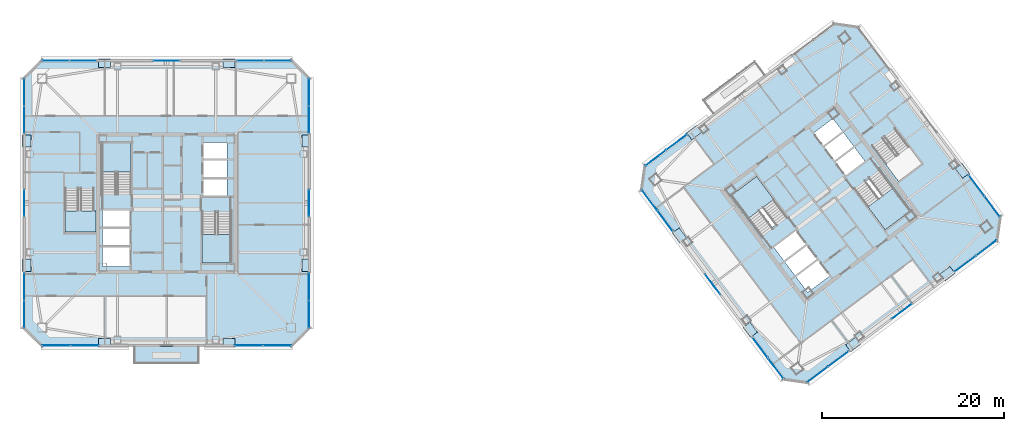
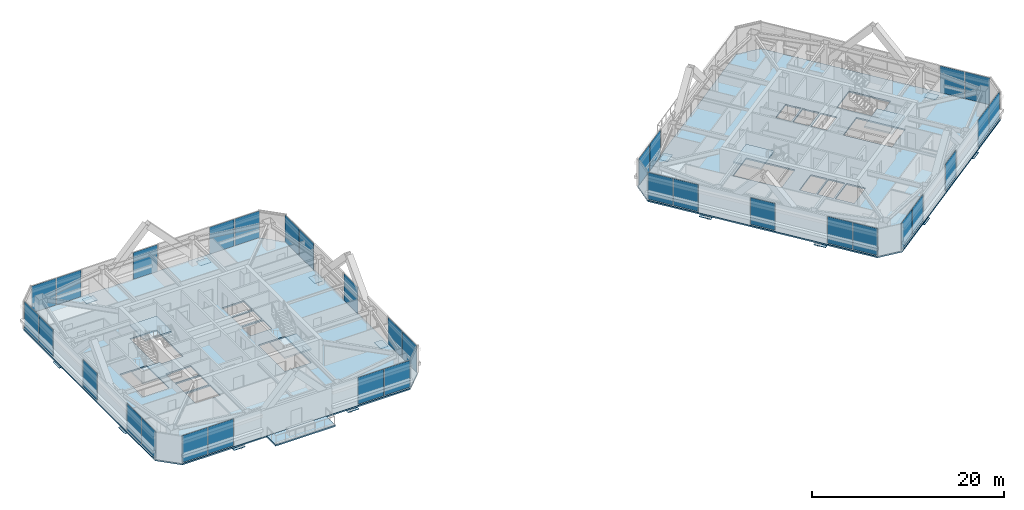
# One storey, part 28 of 39: 47 plates, 8 slabs, 24 elements without a shape of their own.
"""IFC4 building model written with IfcOpenShell, lengths in metres."""

from ifc_helpers import new_model, si_unit, direction, frame, origin, origin_2d, place, context, subcontext, project, spatial, polyline, rectangle, outline, extrude, material, layer, layer_set, type_object, element, aggregate, save


model = new_model("IFC4")

# Units and contexts
model_context = context("Model", 3, precision=1e-05, world=origin(), true_north=direction((0.0, 1.0)))
body_context = subcontext(model_context, "Body", "Model", "MODEL_VIEW")
ifc_project = project(units=[si_unit("LENGTHUNIT", "METRE"), si_unit("AREAUNIT", "SQUARE_METRE"), si_unit("VOLUMEUNIT", "CUBIC_METRE"), si_unit("PLANEANGLEUNIT", "RADIAN"), si_unit("MASSUNIT", "GRAM", prefix="KILO")], contexts=[model_context])

# Site, building, storey
site_placement = place(None, origin())
site = spatial("IfcSite", under=ifc_project, at=site_placement, CompositionType="ELEMENT")
building_placement = place(site_placement, origin())
building = spatial("IfcBuilding", under=site, at=building_placement, Name="Tashvorn Skyway Center", CompositionType="ELEMENT")
storey_placement = place(building_placement, frame((0.0, 0.0, 239.699951171875)))
storey = spatial("IfcBuildingStorey", under=building, at=storey_placement, Name="L65", CompositionType="ELEMENT", Elevation=239.699951171875)

# Curtain wall, plates
ifc_material_1 = material(Name="Thermally broken bronze-anodized aluminium 6063-T6", Category="aluminium")
curtain_wall_type = type_object("IfcCurtainWallType", Name="CW-CW-Z5", PredefinedType="NOTDEFINED", material=ifc_material_1)
curtain_wall_1_placement = place(storey_placement, origin())
curtain_wall_1 = element("IfcCurtainWall", 1, at=curtain_wall_1_placement, inside=storey, type_object=curtain_wall_type, Name="Tower 1 L65 South Curtain Wall L Glazing Group 1", PredefinedType="NOTDEFINED")
ifc_material_2 = material(Name="Low-E solar-control double insulating safety glass", Category="glass")
ifc_layer_1 = layer(ifc_material_2, 0.031982421875)
ifc_layer_set_1 = layer_set([ifc_layer_1], Name="Low-E solar-control double insulating safety glass")
plate_type_1 = type_object("IfcPlateType", Name="CWP-CW-Z5", PredefinedType="CURTAIN_PANEL", material=ifc_layer_set_1)
plate_1_placement = place(storey_placement, frame((54.174072265625, 16.320068359375, 0.0703125), z_axis=(0.0, 0.0, 1.0), x_axis=(-1.0, 0.0, 0.0)))
plate_1 = element("IfcPlate", 2, at=plate_1_placement, type_object=plate_type_1, Name="CW-Z5 panel 1.1", PredefinedType="CURTAIN_PANEL", context=body_context, shape_type="SweptSolid", body=[
    extrude(rectangle(XDim=3.071533203125, YDim=0.031982421875, at=origin_2d()), origin(), (0.0, 0.0, 1.0), 3.409912109375),
])
plate_2_placement = place(storey_placement, frame((51.032470703125, 16.320068359375, 0.0703125), z_axis=(0.0, 0.0, 1.0), x_axis=(-1.0, 0.0, 0.0)))
plate_2 = element("IfcPlate", 3, at=plate_2_placement, type_object=plate_type_1, Name="CW-Z5 panel 2.1", PredefinedType="CURTAIN_PANEL", context=body_context, shape_type="SweptSolid", body=[
    extrude(rectangle(XDim=3.071533203125, YDim=0.031982421875, at=origin_2d()), origin(), (0.0, 0.0, 1.0), 3.409912109375),
])
aggregate(curtain_wall_1, [plate_1, plate_2])

curtain_wall_2_placement = place(storey_placement, origin())
curtain_wall_2 = element("IfcCurtainWall", 4, at=curtain_wall_2_placement, inside=storey, type_object=curtain_wall_type, Name="Tower 1 L65 South Curtain Wall R Glazing Group 1", PredefinedType="NOTDEFINED")
plate_3_placement = place(storey_placement, frame((32.967529296875, 16.320068359375, 0.0703125), z_axis=(0.0, 0.0, 1.0), x_axis=(-1.0, 0.0, 0.0)))
plate_3 = element("IfcPlate", 5, at=plate_3_placement, type_object=plate_type_1, Name="CW-Z5 panel 1.1", PredefinedType="CURTAIN_PANEL", context=body_context, shape_type="SweptSolid", body=[
    extrude(rectangle(XDim=3.071533203125, YDim=0.031982421875, at=origin_2d()), origin(), (0.0, 0.0, 1.0), 3.409912109375),
])
plate_4_placement = place(storey_placement, frame((29.825927734375, 16.320068359375, 0.0703125), z_axis=(0.0, 0.0, 1.0), x_axis=(-1.0, 0.0, 0.0)))
plate_4 = element("IfcPlate", 6, at=plate_4_placement, type_object=plate_type_1, Name="CW-Z5 panel 2.1", PredefinedType="CURTAIN_PANEL", context=body_context, shape_type="SweptSolid", body=[
    extrude(rectangle(XDim=3.071533203125, YDim=0.031982421875, at=origin_2d()), origin(), (0.0, 0.0, 1.0), 3.409912109375),
])
aggregate(curtain_wall_2, [plate_3, plate_4])

curtain_wall_3_placement = place(storey_placement, origin())
curtain_wall_3 = element("IfcCurtainWall", 7, at=curtain_wall_3_placement, inside=storey, type_object=curtain_wall_type, Name="Tower 1 L65 West Unitised Curtain Wall Glazing Group 1", PredefinedType="NOTDEFINED")
plate_5_placement = place(storey_placement, frame((26.320068359375, 19.7685546875, 0.0703125), z_axis=(0.0, 0.0, 1.0), x_axis=(0.0, 1.0, 0.0)))
plate_5 = element("IfcPlate", 8, at=plate_5_placement, type_object=plate_type_1, Name="CW-Z5 panel 1.1", PredefinedType="CURTAIN_PANEL", context=body_context, shape_type="SweptSolid", body=[
    extrude(rectangle(XDim=2.957275390625, YDim=0.031982421875, at=origin_2d()), origin(), (0.0, 0.0, 1.0), 3.409912109375),
])
plate_6_placement = place(storey_placement, frame((26.320068359375, 22.7958984375, 0.0703125), z_axis=(0.0, 0.0, 1.0), x_axis=(0.0, 1.0, 0.0)))
plate_6 = element("IfcPlate", 9, at=plate_6_placement, type_object=plate_type_1, Name="CW-Z5 panel 2.1", PredefinedType="CURTAIN_PANEL", context=body_context, shape_type="SweptSolid", body=[
    extrude(rectangle(XDim=2.957275390625, YDim=0.031982421875, at=origin_2d()), origin(), (0.0, 0.0, 1.0), 3.409912109375),
])
aggregate(curtain_wall_3, [plate_5, plate_6])

# Curtain wall, plate
curtain_wall_4_placement = place(storey_placement, origin())
curtain_wall_4 = element("IfcCurtainWall", 10, at=curtain_wall_4_placement, inside=storey, type_object=curtain_wall_type, Name="Tower 1 L65 West Unitised Curtain Wall Glazing Group 2", PredefinedType="NOTDEFINED")
plate_7_placement = place(storey_placement, frame((26.320068359375, 32.0, 0.0703125), z_axis=(0.0, 0.0, 1.0), x_axis=(0.0, 1.0, 0.0)))
plate_7 = element("IfcPlate", 11, at=plate_7_placement, type_object=plate_type_1, Name="CW-Z5 panel 1.1", PredefinedType="CURTAIN_PANEL", context=body_context, shape_type="SweptSolid", body=[
    extrude(rectangle(XDim=2.922119140625, YDim=0.031982421875, at=origin_2d()), origin(), (0.0, 0.0, 1.0), 3.409912109375),
])
aggregate(curtain_wall_4, [plate_7])

# Curtain wall, plates
curtain_wall_5_placement = place(storey_placement, origin())
curtain_wall_5 = element("IfcCurtainWall", 12, at=curtain_wall_5_placement, inside=storey, type_object=curtain_wall_type, Name="Tower 1 L65 West Unitised Curtain Wall Glazing Group 3", PredefinedType="NOTDEFINED")
plate_8_placement = place(storey_placement, frame((26.320068359375, 41.2041015625, 0.0703125), z_axis=(0.0, 0.0, 1.0), x_axis=(0.0, 1.0, 0.0)))
plate_8 = element("IfcPlate", 13, at=plate_8_placement, type_object=plate_type_1, Name="CW-Z5 panel 1.1", PredefinedType="CURTAIN_PANEL", context=body_context, shape_type="SweptSolid", body=[
    extrude(rectangle(XDim=2.957275390625, YDim=0.031982421875, at=origin_2d()), origin(), (0.0, 0.0, 1.0), 3.409912109375),
])
plate_9_placement = place(storey_placement, frame((26.320068359375, 44.2314453125, 0.0703125), z_axis=(0.0, 0.0, 1.0), x_axis=(0.0, 1.0, 0.0)))
plate_9 = element("IfcPlate", 14, at=plate_9_placement, type_object=plate_type_1, Name="CW-Z5 panel 2.1", PredefinedType="CURTAIN_PANEL", context=body_context, shape_type="SweptSolid", body=[
    extrude(rectangle(XDim=2.957275390625, YDim=0.031982421875, at=origin_2d()), origin(), (0.0, 0.0, 1.0), 3.409912109375),
])
aggregate(curtain_wall_5, [plate_8, plate_9])

curtain_wall_6_placement = place(storey_placement, origin())
curtain_wall_6 = element("IfcCurtainWall", 15, at=curtain_wall_6_placement, inside=storey, type_object=curtain_wall_type, Name="Tower 1 L65 North Unitised Curtain Wall Glazing Group 1", PredefinedType="NOTDEFINED")
plate_10_placement = place(storey_placement, frame((29.7685546875, 47.679931640625, 0.0703125), z_axis=(0.0, 0.0, 1.0), x_axis=(1.0, 0.0, 0.0)))
plate_10 = element("IfcPlate", 16, at=plate_10_placement, type_object=plate_type_1, Name="CW-Z5 panel 1.1", PredefinedType="CURTAIN_PANEL", context=body_context, shape_type="SweptSolid", body=[
    extrude(rectangle(XDim=2.957275390625, YDim=0.031982421875, at=origin_2d()), origin(), (0.0, 0.0, 1.0), 3.409912109375),
])
plate_11_placement = place(storey_placement, frame((32.7958984375, 47.679931640625, 0.0703125), z_axis=(0.0, 0.0, 1.0), x_axis=(1.0, 0.0, 0.0)))
plate_11 = element("IfcPlate", 17, at=plate_11_placement, type_object=plate_type_1, Name="CW-Z5 panel 2.1", PredefinedType="CURTAIN_PANEL", context=body_context, shape_type="SweptSolid", body=[
    extrude(rectangle(XDim=2.957275390625, YDim=0.031982421875, at=origin_2d()), origin(), (0.0, 0.0, 1.0), 3.409912109375),
])
aggregate(curtain_wall_6, [plate_10, plate_11])

# Curtain wall, plate
curtain_wall_7_placement = place(storey_placement, origin())
curtain_wall_7 = element("IfcCurtainWall", 18, at=curtain_wall_7_placement, inside=storey, type_object=curtain_wall_type, Name="Tower 1 L65 North Unitised Curtain Wall Glazing Group 2", PredefinedType="NOTDEFINED")
plate_12_placement = place(storey_placement, frame((42.0, 47.679931640625, 0.0703125), z_axis=(0.0, 0.0, 1.0), x_axis=(1.0, 0.0, 0.0)))
plate_12 = element("IfcPlate", 19, at=plate_12_placement, type_object=plate_type_1, Name="CW-Z5 panel 1.1", PredefinedType="CURTAIN_PANEL", context=body_context, shape_type="SweptSolid", body=[
    extrude(rectangle(XDim=2.922119140625, YDim=0.031982421875, at=origin_2d()), origin(), (0.0, 0.0, 1.0), 3.409912109375),
])
aggregate(curtain_wall_7, [plate_12])

# Curtain wall, plates
curtain_wall_8_placement = place(storey_placement, origin())
curtain_wall_8 = element("IfcCurtainWall", 20, at=curtain_wall_8_placement, inside=storey, type_object=curtain_wall_type, Name="Tower 1 L65 North Unitised Curtain Wall Glazing Group 3", PredefinedType="NOTDEFINED")
plate_13_placement = place(storey_placement, frame((51.2041015625, 47.679931640625, 0.0703125), z_axis=(0.0, 0.0, 1.0), x_axis=(1.0, 0.0, 0.0)))
plate_13 = element("IfcPlate", 21, at=plate_13_placement, type_object=plate_type_1, Name="CW-Z5 panel 1.1", PredefinedType="CURTAIN_PANEL", context=body_context, shape_type="SweptSolid", body=[
    extrude(rectangle(XDim=2.957275390625, YDim=0.031982421875, at=origin_2d()), origin(), (0.0, 0.0, 1.0), 3.409912109375),
])
plate_14_placement = place(storey_placement, frame((54.2314453125, 47.679931640625, 0.0703125), z_axis=(0.0, 0.0, 1.0), x_axis=(1.0, 0.0, 0.0)))
plate_14 = element("IfcPlate", 22, at=plate_14_placement, type_object=plate_type_1, Name="CW-Z5 panel 2.1", PredefinedType="CURTAIN_PANEL", context=body_context, shape_type="SweptSolid", body=[
    extrude(rectangle(XDim=2.957275390625, YDim=0.031982421875, at=origin_2d()), origin(), (0.0, 0.0, 1.0), 3.409912109375),
])
aggregate(curtain_wall_8, [plate_13, plate_14])

curtain_wall_9_placement = place(storey_placement, origin())
curtain_wall_9 = element("IfcCurtainWall", 23, at=curtain_wall_9_placement, inside=storey, type_object=curtain_wall_type, Name="Tower 1 L65 East Unitised Curtain Wall Glazing Group 1", PredefinedType="NOTDEFINED")
plate_15_placement = place(storey_placement, frame((57.679931640625, 44.2314453125, 0.0703125), z_axis=(0.0, 0.0, 1.0), x_axis=(0.0, -1.0, 0.0)))
plate_15 = element("IfcPlate", 24, at=plate_15_placement, type_object=plate_type_1, Name="CW-Z5 panel 1.1", PredefinedType="CURTAIN_PANEL", context=body_context, shape_type="SweptSolid", body=[
    extrude(rectangle(XDim=2.957275390625, YDim=0.031982421875, at=origin_2d()), origin(), (0.0, 0.0, 1.0), 3.409912109375),
])
plate_16_placement = place(storey_placement, frame((57.679931640625, 41.2041015625, 0.0703125), z_axis=(0.0, 0.0, 1.0), x_axis=(0.0, -1.0, 0.0)))
plate_16 = element("IfcPlate", 25, at=plate_16_placement, type_object=plate_type_1, Name="CW-Z5 panel 2.1", PredefinedType="CURTAIN_PANEL", context=body_context, shape_type="SweptSolid", body=[
    extrude(rectangle(XDim=2.957275390625, YDim=0.031982421875, at=origin_2d()), origin(), (0.0, 0.0, 1.0), 3.409912109375),
])
aggregate(curtain_wall_9, [plate_15, plate_16])

# Curtain wall, plate
curtain_wall_10_placement = place(storey_placement, origin())
curtain_wall_10 = element("IfcCurtainWall", 26, at=curtain_wall_10_placement, inside=storey, type_object=curtain_wall_type, Name="Tower 1 L65 East Unitised Curtain Wall Glazing Group 2", PredefinedType="NOTDEFINED")
plate_17_placement = place(storey_placement, frame((57.679931640625, 32.0, 0.0703125), z_axis=(0.0, 0.0, 1.0), x_axis=(0.0, -1.0, 0.0)))
plate_17 = element("IfcPlate", 27, at=plate_17_placement, type_object=plate_type_1, Name="CW-Z5 panel 1.1", PredefinedType="CURTAIN_PANEL", context=body_context, shape_type="SweptSolid", body=[
    extrude(rectangle(XDim=2.922119140625, YDim=0.031982421875, at=origin_2d()), origin(), (0.0, 0.0, 1.0), 3.409912109375),
])
aggregate(curtain_wall_10, [plate_17])

# Curtain wall, plates
curtain_wall_11_placement = place(storey_placement, origin())
curtain_wall_11 = element("IfcCurtainWall", 28, at=curtain_wall_11_placement, inside=storey, type_object=curtain_wall_type, Name="Tower 1 L65 East Unitised Curtain Wall Glazing Group 3", PredefinedType="NOTDEFINED")
plate_18_placement = place(storey_placement, frame((57.679931640625, 22.7958984375, 0.0703125), z_axis=(0.0, 0.0, 1.0), x_axis=(0.0, -1.0, 0.0)))
plate_18 = element("IfcPlate", 29, at=plate_18_placement, type_object=plate_type_1, Name="CW-Z5 panel 1.1", PredefinedType="CURTAIN_PANEL", context=body_context, shape_type="SweptSolid", body=[
    extrude(rectangle(XDim=2.957275390625, YDim=0.031982421875, at=origin_2d()), origin(), (0.0, 0.0, 1.0), 3.409912109375),
])
plate_19_placement = place(storey_placement, frame((57.679931640625, 19.7685546875, 0.0703125), z_axis=(0.0, 0.0, 1.0), x_axis=(0.0, -1.0, 0.0)))
plate_19 = element("IfcPlate", 30, at=plate_19_placement, type_object=plate_type_1, Name="CW-Z5 panel 2.1", PredefinedType="CURTAIN_PANEL", context=body_context, shape_type="SweptSolid", body=[
    extrude(rectangle(XDim=2.957275390625, YDim=0.031982421875, at=origin_2d()), origin(), (0.0, 0.0, 1.0), 3.409912109375),
])
aggregate(curtain_wall_11, [plate_18, plate_19])

curtain_wall_12_placement = place(storey_placement, origin())
curtain_wall_12 = element("IfcCurtainWall", 31, at=curtain_wall_12_placement, inside=storey, type_object=curtain_wall_type, Name="Tower 2 L65 South Unitised Curtain Wall Glazing Group 1", PredefinedType="NOTDEFINED")
plate_20_placement = place(storey_placement, frame((132.21533203125, 27.0615234375, 0.0703125), z_axis=(0.0, 0.0, 1.0), x_axis=(-0.800002064209, -0.599997247712, 0.0)))
plate_20 = element("IfcPlate", 32, at=plate_20_placement, type_object=plate_type_1, Name="CW-Z5 panel 1.1", PredefinedType="CURTAIN_PANEL", context=body_context, shape_type="SweptSolid", body=[
    extrude(rectangle(XDim=2.8017578125, YDim=0.031982421875, at=origin_2d()), origin(), (0.0, 0.0, 1.0), 3.409912109375),
])
plate_21_placement = place(storey_placement, frame((129.91796875, 25.33837890625, 0.0703125), z_axis=(0.0, 0.0, 1.0), x_axis=(-0.800002064209, -0.599997247712, 0.0)))
plate_21 = element("IfcPlate", 33, at=plate_21_placement, type_object=plate_type_1, Name="CW-Z5 panel 2.1", PredefinedType="CURTAIN_PANEL", context=body_context, shape_type="SweptSolid", body=[
    extrude(rectangle(XDim=2.8017578125, YDim=0.031982421875, at=origin_2d()), origin(), (0.0, 0.0, 1.0), 3.409912109375),
])
aggregate(curtain_wall_12, [plate_20, plate_21])

# Curtain wall, plate
curtain_wall_13_placement = place(storey_placement, origin())
curtain_wall_13 = element("IfcCurtainWall", 34, at=curtain_wall_13_placement, inside=storey, type_object=curtain_wall_type, Name="Tower 2 L65 South Unitised Curtain Wall Glazing Group 2", PredefinedType="NOTDEFINED")
plate_22_placement = place(storey_placement, frame((122.927978515625, 20.095947265625, 0.0703125), z_axis=(0.0, 0.0, 1.0), x_axis=(-0.800008256656, -0.599988990967, 0.0)))
plate_22 = element("IfcPlate", 35, at=plate_22_placement, type_object=plate_type_1, Name="CW-Z5 panel 1.1", PredefinedType="CURTAIN_PANEL", context=body_context, shape_type="SweptSolid", body=[
    extrude(rectangle(XDim=2.7666015625, YDim=0.031982421875, at=origin_2d()), origin(), (0.0, 0.0, 1.0), 3.409912109375),
])
aggregate(curtain_wall_13, [plate_22])

# Curtain wall, plates
curtain_wall_14_placement = place(storey_placement, origin())
curtain_wall_14 = element("IfcCurtainWall", 36, at=curtain_wall_14_placement, inside=storey, type_object=curtain_wall_type, Name="Tower 2 L65 South Unitised Curtain Wall Glazing Group 3", PredefinedType="NOTDEFINED")
plate_23_placement = place(storey_placement, frame((115.93798828125, 14.853515625, 0.0703125), z_axis=(0.0, 0.0, 1.0), x_axis=(-0.800002064209, -0.599997247712, 0.0)))
plate_23 = element("IfcPlate", 37, at=plate_23_placement, type_object=plate_type_1, Name="CW-Z5 panel 1.1", PredefinedType="CURTAIN_PANEL", context=body_context, shape_type="SweptSolid", body=[
    extrude(rectangle(XDim=2.8017578125, YDim=0.031982421875, at=origin_2d()), origin(), (0.0, 0.0, 1.0), 3.409912109375),
])
plate_24_placement = place(storey_placement, frame((113.640625, 13.130615234375, 0.0703125), z_axis=(0.0, 0.0, 1.0), x_axis=(-0.800002064209, -0.599997247712, 0.0)))
plate_24 = element("IfcPlate", 38, at=plate_24_placement, type_object=plate_type_1, Name="CW-Z5 panel 2.1", PredefinedType="CURTAIN_PANEL", context=body_context, shape_type="SweptSolid", body=[
    extrude(rectangle(XDim=2.8017578125, YDim=0.031982421875, at=origin_2d()), origin(), (0.0, 0.0, 1.0), 3.409912109375),
])
aggregate(curtain_wall_14, [plate_23, plate_24])

curtain_wall_15_placement = place(storey_placement, origin())
curtain_wall_15 = element("IfcCurtainWall", 39, at=curtain_wall_15_placement, inside=storey, type_object=curtain_wall_type, Name="Tower 2 L65 West Unitised Curtain Wall Glazing Group 1", PredefinedType="NOTDEFINED")
plate_25_placement = place(storey_placement, frame((109.0615234375, 13.78466796875, 0.0703125), z_axis=(0.0, 0.0, 1.0), x_axis=(-0.599997247712, 0.800002064209, 0.0)))
plate_25 = element("IfcPlate", 40, at=plate_25_placement, type_object=plate_type_1, Name="CW-Z5 panel 1.1", PredefinedType="CURTAIN_PANEL", context=body_context, shape_type="SweptSolid", body=[
    extrude(rectangle(XDim=2.8017578125, YDim=0.031982421875, at=origin_2d()), origin(), (0.0, 0.0, 1.0), 3.409912109375),
])
plate_26_placement = place(storey_placement, frame((107.33837890625, 16.08203125, 0.0703125), z_axis=(0.0, 0.0, 1.0), x_axis=(-0.599997247712, 0.800002064209, 0.0)))
plate_26 = element("IfcPlate", 41, at=plate_26_placement, type_object=plate_type_1, Name="CW-Z5 panel 2.1", PredefinedType="CURTAIN_PANEL", context=body_context, shape_type="SweptSolid", body=[
    extrude(rectangle(XDim=2.8017578125, YDim=0.031982421875, at=origin_2d()), origin(), (0.0, 0.0, 1.0), 3.409912109375),
])
aggregate(curtain_wall_15, [plate_25, plate_26])

# Curtain wall, plate
curtain_wall_16_placement = place(storey_placement, origin())
curtain_wall_16 = element("IfcCurtainWall", 42, at=curtain_wall_16_placement, inside=storey, type_object=curtain_wall_type, Name="Tower 2 L65 West Unitised Curtain Wall Glazing Group 2", PredefinedType="NOTDEFINED")
plate_27_placement = place(storey_placement, frame((102.095947265625, 23.072021484375, 0.0703125), z_axis=(0.0, 0.0, 1.0), x_axis=(-0.599988990967, 0.800008256656, 0.0)))
plate_27 = element("IfcPlate", 43, at=plate_27_placement, type_object=plate_type_1, Name="CW-Z5 panel 1.1", PredefinedType="CURTAIN_PANEL", context=body_context, shape_type="SweptSolid", body=[
    extrude(rectangle(XDim=2.7666015625, YDim=0.031982421875, at=origin_2d()), origin(), (0.0, 0.0, 1.0), 3.409912109375),
])
aggregate(curtain_wall_16, [plate_27])

# Curtain wall, plates
curtain_wall_17_placement = place(storey_placement, origin())
curtain_wall_17 = element("IfcCurtainWall", 44, at=curtain_wall_17_placement, inside=storey, type_object=curtain_wall_type, Name="Tower 2 L65 West Unitised Curtain Wall Glazing Group 3", PredefinedType="NOTDEFINED")
plate_28_placement = place(storey_placement, frame((96.853515625, 30.06201171875, 0.0703125), z_axis=(0.0, 0.0, 1.0), x_axis=(-0.599997247712, 0.800002064209, 0.0)))
plate_28 = element("IfcPlate", 45, at=plate_28_placement, type_object=plate_type_1, Name="CW-Z5 panel 1.1", PredefinedType="CURTAIN_PANEL", context=body_context, shape_type="SweptSolid", body=[
    extrude(rectangle(XDim=2.8017578125, YDim=0.031982421875, at=origin_2d()), origin(), (0.0, 0.0, 1.0), 3.409912109375),
])
plate_29_placement = place(storey_placement, frame((95.130615234375, 32.359375, 0.0703125), z_axis=(0.0, 0.0, 1.0), x_axis=(-0.599997247712, 0.800002064209, 0.0)))
plate_29 = element("IfcPlate", 46, at=plate_29_placement, type_object=plate_type_1, Name="CW-Z5 panel 2.1", PredefinedType="CURTAIN_PANEL", context=body_context, shape_type="SweptSolid", body=[
    extrude(rectangle(XDim=2.8017578125, YDim=0.031982421875, at=origin_2d()), origin(), (0.0, 0.0, 1.0), 3.409912109375),
])
aggregate(curtain_wall_17, [plate_28, plate_29])

curtain_wall_18_placement = place(storey_placement, origin())
curtain_wall_18 = element("IfcCurtainWall", 47, at=curtain_wall_18_placement, inside=storey, type_object=curtain_wall_type, Name="Tower 2 L65 North Curtain Wall L Glazing Group 1", PredefinedType="NOTDEFINED")
plate_30_placement = place(storey_placement, frame((95.79931640625, 36.949462890625, 0.0703125), z_axis=(0.0, 0.0, 1.0), x_axis=(0.799997961477, 0.600002718021, 0.0)))
plate_30 = element("IfcPlate", 48, at=plate_30_placement, type_object=plate_type_1, Name="CW-Z5 panel 1.1", PredefinedType="CURTAIN_PANEL", context=body_context, shape_type="SweptSolid", body=[
    extrude(rectangle(XDim=2.83837890625, YDim=0.031982421875, at=origin_2d()), origin(), (0.0, 0.0, 1.0), 3.409912109375),
])
plate_31_placement = place(storey_placement, frame((98.1259765625, 38.694580078125, 0.0703125), z_axis=(0.0, 0.0, 1.0), x_axis=(0.799997961477, 0.600002718021, 0.0)))
plate_31 = element("IfcPlate", 49, at=plate_31_placement, type_object=plate_type_1, Name="CW-Z5 panel 2.1", PredefinedType="CURTAIN_PANEL", context=body_context, shape_type="SweptSolid", body=[
    extrude(rectangle(XDim=2.83837890625, YDim=0.031982421875, at=origin_2d()), origin(), (0.0, 0.0, 1.0), 3.409912109375),
])
aggregate(curtain_wall_18, [plate_30, plate_31])

curtain_wall_19_placement = place(storey_placement, origin())
curtain_wall_19 = element("IfcCurtainWall", 50, at=curtain_wall_19_placement, inside=storey, type_object=curtain_wall_type, Name="Tower 2 L65 East Unitised Curtain Wall Glazing Group 3", PredefinedType="NOTDEFINED")
plate_32_placement = place(storey_placement, frame((131.146484375, 33.93798828125, 0.0703125), z_axis=(0.0, 0.0, 1.0), x_axis=(0.599997247712, -0.800002064209, 0.0)))
plate_32 = element("IfcPlate", 51, at=plate_32_placement, type_object=plate_type_1, Name="CW-Z5 panel 1.1", PredefinedType="CURTAIN_PANEL", context=body_context, shape_type="SweptSolid", body=[
    extrude(rectangle(XDim=2.8017578125, YDim=0.031982421875, at=origin_2d()), origin(), (0.0, 0.0, 1.0), 3.409912109375),
])
plate_33_placement = place(storey_placement, frame((132.869384765625, 31.640625, 0.0703125), z_axis=(0.0, 0.0, 1.0), x_axis=(0.599997247712, -0.800002064209, 0.0)))
plate_33 = element("IfcPlate", 52, at=plate_33_placement, type_object=plate_type_1, Name="CW-Z5 panel 2.1", PredefinedType="CURTAIN_PANEL", context=body_context, shape_type="SweptSolid", body=[
    extrude(rectangle(XDim=2.8017578125, YDim=0.031982421875, at=origin_2d()), origin(), (0.0, 0.0, 1.0), 3.409912109375),
])
aggregate(curtain_wall_19, [plate_32, plate_33])

# Plates
ifc_material_3 = material(Name="Steel ASTM A572 Grade 50", Category="steel")
ifc_layer_2 = layer(ifc_material_3, 0.044921875)
ifc_layer_set_2 = layer_set([ifc_layer_2], Name="Steel ASTM A572 Grade 50")
plate_type_2 = type_object("IfcPlateType", Name="PLT-GUSSET-45", PredefinedType="USERDEFINED", material=ifc_layer_set_2)
for number, where, z_axis, x_axis, name in (
    (53, (35.14990234375, 16.6201171875, -0.472412109375), (0.0, 0.0, 1.0), (1.0, 0.0, 0.0), "Tower 1 Zone 6 S Mid-Chevron Node Gusset L"),
    (54, (48.85009765625, 16.6201171875, -0.472412109375), (0.0, 0.0, 1.0), (1.0, 0.0, 0.0), "Tower 1 Zone 6 S Mid-Chevron Node Gusset R"),
    (55, (57.3798828125, 25.14990234375, -0.472412109375), (0.0, 0.0, 1.0), (0.0, 1.0, 0.0), "Tower 1 Zone 6 E Mid-Chevron Node Gusset L"),
    (56, (57.3798828125, 38.85009765625, -0.472412109375), (0.0, 0.0, 1.0), (0.0, 1.0, 0.0), "Tower 1 Zone 6 E Mid-Chevron Node Gusset R"),
    (57, (48.85009765625, 47.3798828125, -0.472412109375), (0.0, 0.0, 1.0), (-1.0, 0.0, 0.0), "Tower 1 Zone 6 N Mid-Chevron Node Gusset L"),
    (58, (35.14990234375, 47.3798828125, -0.472412109375), (0.0, 0.0, 1.0), (-1.0, 0.0, 0.0), "Tower 1 Zone 6 N Mid-Chevron Node Gusset R"),
    (59, (26.6201171875, 38.85009765625, -0.472412109375), (0.0, 0.0, 1.0), (0.0, -1.0, 0.0), "Tower 1 Zone 6 W Mid-Chevron Node Gusset L"),
    (60, (26.6201171875, 25.14990234375, -0.472412109375), (0.0, 0.0, 1.0), (0.0, -1.0, 0.0), "Tower 1 Zone 6 W Mid-Chevron Node Gusset R"),
    (61, (117.548095703125, 16.43603515625, -0.472412109375), (0.0, 0.0, 1.0), (0.799999996291, 0.600000004945, 0.0), "Tower 2 Zone 6 S Mid-Chevron Node Gusset L"),
    (62, (127.947998046875, 24.236083984375, -0.472412109375), (0.0, 0.0, 1.0), (0.799999996291, 0.600000004945, 0.0), "Tower 2 Zone 6 S Mid-Chevron Node Gusset R"),
    (63, (129.56396484375, 35.548095703125, -0.472412109375), (0.0, 0.0, 1.0), (-0.600000004945, 0.799999996291, 0.0), "Tower 2 Zone 6 E Mid-Chevron Node Gusset L"),
    (64, (100.052001953125, 39.763916015625, -0.472412109375), (0.0, 0.0, 1.0), (-0.799999996291, -0.600000004945, 0.0), "Tower 2 Zone 6 N Mid-Chevron Node Gusset R"),
    (65, (98.43603515625, 28.451904296875, -0.472412109375), (0.0, 0.0, 1.0), (0.600000004945, -0.799999996291, 0.0), "Tower 2 Zone 6 W Mid-Chevron Node Gusset L"),
    (66, (106.236083984375, 18.052001953125, -0.472412109375), (0.0, 0.0, 1.0), (0.600000004945, -0.799999996291, 0.0), "Tower 2 Zone 6 W Mid-Chevron Node Gusset R"),
):
    element("IfcPlate", number, at=place(storey_placement, frame(where, z_axis=z_axis, x_axis=x_axis)), inside=storey, type_object=plate_type_2, Name=name, ObjectType="GUSSET PLATE", PredefinedType="USERDEFINED", context=body_context, shape_type="SweptSolid", body=[
        extrude(rectangle(XDim=1.35009765625, YDim=0.949951171875, at=origin_2d()), origin(), (0.0, 0.0, 1.0), 0.044921875),
    ])

# Slabs
ifc_material_4 = material(Name="Concrete C40/50", Category="concrete")
ifc_layer_3 = layer(ifc_material_4, 0.179931640625)
ifc_layer_set_3 = layer_set([ifc_layer_3], Name="Concrete C40/50")
slab_type_1 = type_object("IfcSlabType", Name="SLAB-FLR-180", PredefinedType="FLOOR", material=ifc_layer_set_3)
slab_1_placement = place(storey_placement, frame((0.0, 0.0, -0.179931640625)))
element("IfcSlab", 67, at=slab_1_placement, inside=storey, type_object=slab_type_1, Name="Tower 1 L65 Composite Floor Slab", PredefinedType="FLOOR", context=body_context, shape_type="SweptSolid", body=[
    extrude(outline(polyline([(28.300048828125, 16.199951171875), (55.699951171875, 16.199951171875), (57.800048828125, 18.300048828125), (57.800048828125, 45.699951171875), (55.699951171875, 47.800048828125), (28.300048828125, 47.800048828125), (26.199951171875, 45.699951171875), (26.199951171875, 18.300048828125), (28.300048828125, 16.199951171875)]), holes=[polyline([(38.10009765625, 33.080078125), (38.10009765625, 38.60009765625), (34.89990234375, 38.60009765625), (34.89990234375, 33.080078125), (38.10009765625, 33.080078125)]), polyline([(45.89990234375, 30.919921875), (45.89990234375, 25.39990234375), (49.10009765625, 25.39990234375), (49.10009765625, 30.919921875), (45.89990234375, 30.919921875)]), polyline([(30.800048828125, 33.52001953125), (30.800048828125, 28.800048828125), (34.0, 28.800048828125), (34.0, 33.52001953125), (30.800048828125, 33.52001953125)]), polyline([(34.949951171875, 29.35009765625), (37.949951171875, 29.35009765625), (37.949951171875, 31.199951171875), (34.949951171875, 31.199951171875), (34.949951171875, 29.35009765625)]), polyline([(34.949951171875, 27.35009765625), (37.949951171875, 27.35009765625), (37.949951171875, 29.199951171875), (34.949951171875, 29.199951171875), (34.949951171875, 27.35009765625)]), polyline([(34.949951171875, 25.0), (37.949951171875, 25.0), (37.949951171875, 27.14990234375), (34.949951171875, 27.14990234375), (34.949951171875, 25.0)]), polyline([(46.050048828125, 32.800048828125), (48.64990234375, 32.800048828125), (48.64990234375, 34.64990234375), (46.050048828125, 34.64990234375), (46.050048828125, 32.800048828125)]), polyline([(46.050048828125, 34.85009765625), (48.64990234375, 34.85009765625), (48.64990234375, 36.699951171875), (46.050048828125, 36.699951171875), (46.050048828125, 34.85009765625)]), polyline([(46.050048828125, 36.89990234375), (48.64990234375, 36.89990234375), (48.64990234375, 38.64990234375), (46.050048828125, 38.64990234375), (46.050048828125, 36.89990234375)])]), origin(), (0.0, 0.0, 1.0), 0.179931640625),
])
slab_2_placement = place(storey_placement, frame((0.0, 0.0, -0.179931640625)))
element("IfcSlab", 68, at=slab_2_placement, inside=storey, type_object=slab_type_1, Name="Tower 2 L65 Composite Floor Slab", PredefinedType="FLOOR", context=body_context, shape_type="SweptSolid", body=[
    extrude(outline(polyline([(112.60009765625, 12.199951171875), (133.39990234375, 27.800048828125), (133.800048828125, 30.60009765625), (118.199951171875, 51.39990234375), (115.39990234375, 51.800048828125), (94.60009765625, 36.199951171875), (94.199951171875, 33.39990234375), (109.800048828125, 12.60009765625), (112.60009765625, 12.199951171875)]), holes=[polyline([(110.23193359375, 30.52392578125), (106.919921875, 34.93994140625), (104.135986328125, 32.85205078125), (107.447998046875, 28.43603515625), (110.23193359375, 30.52392578125)]), polyline([(117.76806640625, 33.47607421875), (121.080078125, 29.06005859375), (123.864013671875, 31.14794921875), (120.552001953125, 35.56396484375), (117.76806640625, 33.47607421875)]), polyline([(119.7119140625, 38.18408203125), (122.5439453125, 34.407958984375), (125.10400390625, 36.327880859375), (122.27197265625, 40.10400390625), (119.7119140625, 38.18408203125)]), polyline([(109.949951171875, 25.64990234375), (112.35009765625, 27.449951171875), (111.239990234375, 28.929931640625), (108.840087890625, 27.1298828125), (109.949951171875, 25.64990234375)]), polyline([(111.14990234375, 24.050048828125), (113.550048828125, 25.85009765625), (112.43994140625, 27.330078125), (110.0400390625, 25.530029296875), (111.14990234375, 24.050048828125)]), polyline([(112.56005859375, 22.169921875), (114.9599609375, 23.969970703125), (113.669921875, 25.68994140625), (111.27001953125, 23.889892578125), (112.56005859375, 22.169921875)]), polyline([(116.760009765625, 35.070068359375), (118.840087890625, 36.6298828125), (117.72998046875, 38.110107421875), (115.64990234375, 36.550048828125), (116.760009765625, 35.070068359375)]), polyline([(115.530029296875, 36.7099609375), (117.610107421875, 38.27001953125), (116.5, 39.75), (114.419921875, 38.18994140625), (115.530029296875, 36.7099609375)]), polyline([(114.300048828125, 38.35009765625), (116.3798828125, 39.909912109375), (115.330078125, 41.31005859375), (113.25, 39.75), (114.300048828125, 38.35009765625)])]), origin(), (0.0, 0.0, 1.0), 0.179931640625),
])

# Stair, slab
stair_type = type_object("IfcStairType", Name="STAIR-CORE-1500", PredefinedType="HALF_TURN_STAIR", material=ifc_material_4)
stair_1_placement = place(storey_placement, origin())
stair_1 = element("IfcStair", 69, at=stair_1_placement, inside=storey, type_object=stair_type, Name="L65 Tower 1 Exit Stair 1", PredefinedType="HALF_TURN_STAIR")
ifc_layer_4 = layer(ifc_material_4, 0.199951171875)
ifc_layer_set_4 = layer_set([ifc_layer_4], Name="Concrete C40/50")
slab_type_2 = type_object("IfcSlabType", Name="SLAB-LAND-200", PredefinedType="LANDING", material=ifc_layer_set_4)
slab_3_placement = place(storey_placement, frame((0.0, 0.0, 1.574951171875)))
slab_3 = element("IfcSlab", 70, at=slab_3_placement, type_object=slab_type_2, Name="ST-T1-1 landing 1", PredefinedType="LANDING", context=body_context, shape_type="SweptSolid", body=[
    extrude(outline(polyline([(38.10009765625, 35.43994140625), (38.10009765625, 38.60009765625), (34.89990234375, 38.60009765625), (34.89990234375, 35.43994140625), (38.10009765625, 35.43994140625)])), origin(), (0.0, 0.0, 1.0), 0.2001953125),
])
aggregate(stair_1, [slab_3])

stair_2_placement = place(storey_placement, origin())
stair_2 = element("IfcStair", 71, at=stair_2_placement, inside=storey, type_object=stair_type, Name="L65 Tower 1 Exit Stair 2", PredefinedType="HALF_TURN_STAIR")
slab_4_placement = place(storey_placement, frame((0.0, 0.0, 1.574951171875)))
slab_4 = element("IfcSlab", 72, at=slab_4_placement, type_object=slab_type_2, Name="ST-T1-2 landing 1", PredefinedType="LANDING", context=body_context, shape_type="SweptSolid", body=[
    extrude(outline(polyline([(45.89990234375, 28.56005859375), (45.89990234375, 25.39990234375), (49.10009765625, 25.39990234375), (49.10009765625, 28.56005859375), (45.89990234375, 28.56005859375)])), origin(), (0.0, 0.0, 1.0), 0.2001953125),
])
aggregate(stair_2, [slab_4])

stair_3_placement = place(storey_placement, origin())
stair_3 = element("IfcStair", 73, at=stair_3_placement, inside=storey, type_object=stair_type, Name="L65 Tower 2 Exit Stair 1", PredefinedType="HALF_TURN_STAIR")
slab_5_placement = place(storey_placement, frame((0.0, 0.0, 1.574951171875)))
slab_5 = element("IfcSlab", 74, at=slab_5_placement, type_object=slab_type_2, Name="ST-T2-1 landing 1", PredefinedType="LANDING", context=body_context, shape_type="SweptSolid", body=[
    extrude(outline(polyline([(108.82080078125, 32.405517578125), (106.919921875, 34.93994140625), (104.135986328125, 32.85205078125), (106.036865234375, 30.317626953125), (108.82080078125, 32.405517578125)])), origin(), (0.0, 0.0, 1.0), 0.2001953125),
])
aggregate(stair_3, [slab_5])

stair_4_placement = place(storey_placement, origin())
stair_4 = element("IfcStair", 75, at=stair_4_placement, inside=storey, type_object=stair_type, Name="L65 Tower 2 Exit Stair 2", PredefinedType="HALF_TURN_STAIR")
slab_6_placement = place(storey_placement, frame((0.0, 0.0, 1.574951171875)))
slab_6 = element("IfcSlab", 76, at=slab_6_placement, type_object=slab_type_2, Name="ST-T2-2 landing 1", PredefinedType="LANDING", context=body_context, shape_type="SweptSolid", body=[
    extrude(outline(polyline([(119.17919921875, 31.594482421875), (121.080078125, 29.06005859375), (123.864013671875, 31.14794921875), (121.963134765625, 33.682373046875), (119.17919921875, 31.594482421875)])), origin(), (0.0, 0.0, 1.0), 0.2001953125),
])
aggregate(stair_4, [slab_6])

stair_5_placement = place(storey_placement, origin())
stair_5 = element("IfcStair", 77, at=stair_5_placement, inside=storey, type_object=stair_type, Name="L65 Tower 1 Exit Stair 3", PredefinedType="HALF_TURN_STAIR")
slab_7_placement = place(storey_placement, frame((0.0, 0.0, 1.574951171875)))
slab_7 = element("IfcSlab", 78, at=slab_7_placement, type_object=slab_type_2, Name="ST-T1-3 landing 1", PredefinedType="LANDING", context=body_context, shape_type="SweptSolid", body=[
    extrude(outline(polyline([(30.800048828125, 31.159912109375), (30.800048828125, 28.800048828125), (34.199951171875, 28.800048828125), (34.199951171875, 31.159912109375), (30.800048828125, 31.159912109375)])), origin(), (0.0, 0.0, 1.0), 0.2001953125),
])
aggregate(stair_5, [slab_7])

# Slab
ifc_layer_5 = layer(ifc_material_4, 0.179931640625)
ifc_layer_set_5 = layer_set([ifc_layer_5], Name="Concrete C40/50")
slab_type_3 = type_object("IfcSlabType", Name="SLAB-TERR-200", PredefinedType="FLOOR", material=ifc_layer_set_5)
slab_8_placement = place(storey_placement, frame((0.0, 0.0, -0.179931640625)))
element("IfcSlab", 79, at=slab_8_placement, inside=storey, type_object=slab_type_3, Name="Tower 1 L65 Spiral Planted Terrace Slab", PredefinedType="FLOOR", context=body_context, shape_type="SweptSolid", body=[
    extrude(outline(polyline([(38.39990234375, 14.300048828125), (45.60009765625, 14.300048828125), (45.60009765625, 16.2099609375), (38.39990234375, 16.2099609375), (38.39990234375, 14.300048828125)])), origin(), (0.0, 0.0, 1.0), 0.179931640625),
])

save(model, "model.ifc")
